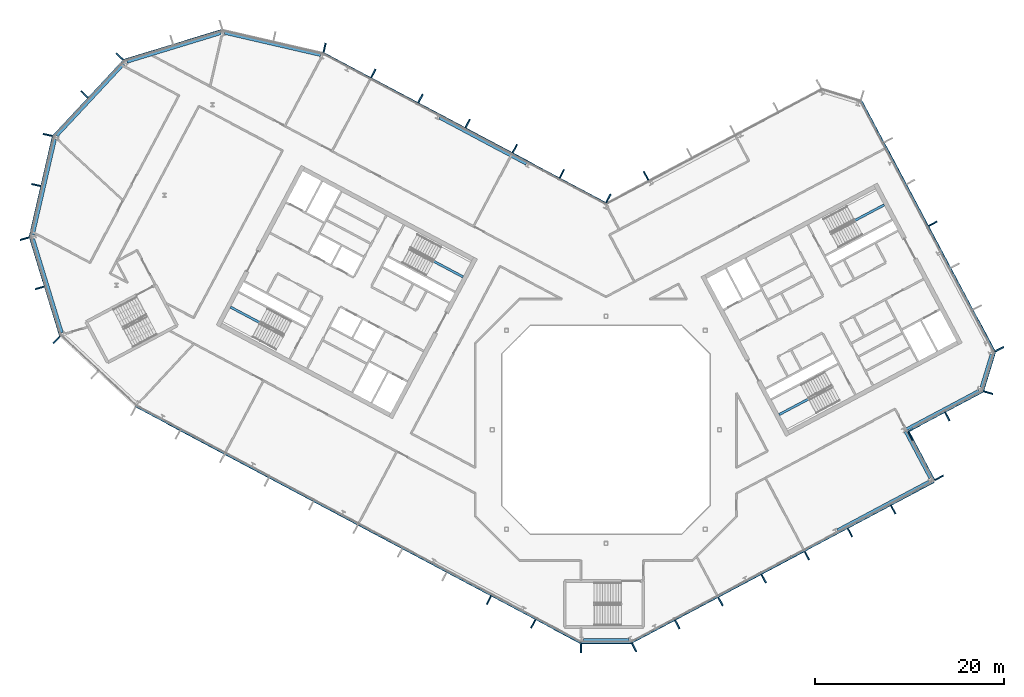
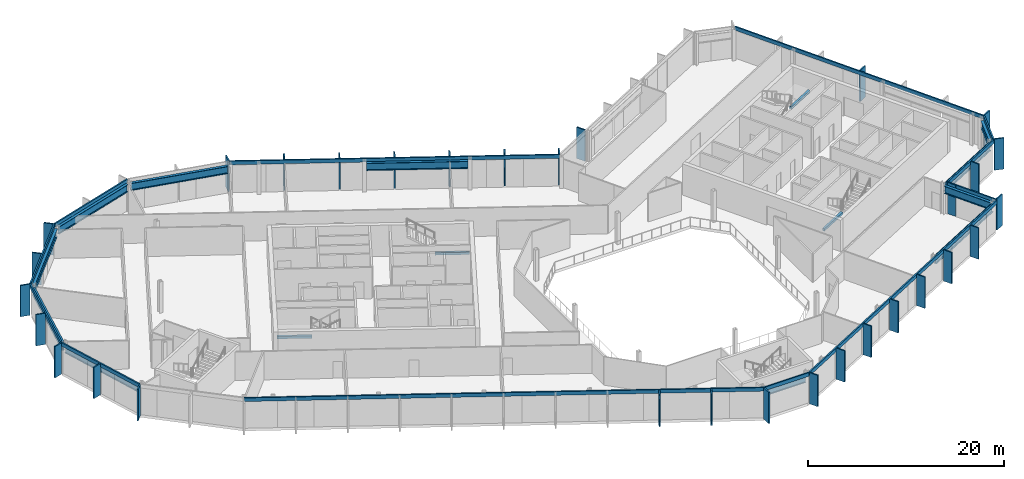
# One storey, part 9 of 26: 43 members, 15 beams, 15 elements without a shape of their own.
"""IFC4 building model written with IfcOpenShell, lengths in metres."""

from ifc_helpers import new_model, si_unit, direction, frame, origin, origin_2d, place, context, subcontext, project, spatial, rectangle, i_section, extrude, material, layer, layer_set, material_profile, profile_set, type_object, element, aggregate, save


model = new_model("IFC4")

# Units and contexts
model_context = context("Model", 3, precision=1e-05, world=origin(), true_north=direction((0.0, 1.0)))
body_context = subcontext(model_context, "Body", "Model", "MODEL_VIEW")
ifc_project = project(units=[si_unit("LENGTHUNIT", "METRE"), si_unit("AREAUNIT", "SQUARE_METRE"), si_unit("VOLUMEUNIT", "CUBIC_METRE"), si_unit("PLANEANGLEUNIT", "RADIAN"), si_unit("MASSUNIT", "GRAM", prefix="KILO")], contexts=[model_context])

# Site, building, storey
site_placement = place(None, origin())
site = spatial("IfcSite", under=ifc_project, at=site_placement, CompositionType="ELEMENT")
building_placement = place(site_placement, origin())
building = spatial("IfcBuilding", under=site, at=building_placement, Name="Cormorant Relay Tower", CompositionType="ELEMENT")
storey_placement = place(building_placement, frame((0.0, 0.0, 300.89990234375)))
storey = spatial("IfcBuildingStorey", under=building, at=storey_placement, Name="L68", CompositionType="ELEMENT", Elevation=300.89990234375)

# Curtain wall, member
ifc_material_1 = material(Name="Aluminium 6063-T6 anodised bronze", Category="aluminium")
ifc_layer = layer(ifc_material_1, 0.199951171875)
ifc_layer_set = layer_set([ifc_layer], Name="CW1 unitised bronze curtain wall with vertical fins")
curtain_wall_type = type_object("IfcCurtainWallType", Name="CW1 unitised bronze curtain wall with vertical fins", PredefinedType="NOTDEFINED", material=ifc_layer_set)
curtain_wall_1_placement = place(storey_placement, origin())
curtain_wall_1 = element("IfcCurtainWall", 1, at=curtain_wall_1_placement, inside=storey, type_object=curtain_wall_type, Name="CW1 curtain wall 1", PredefinedType="NOTDEFINED")
ifc_material_2 = material(Name="Aluminium 6063-T6 anodised bronze", Category="aluminium")
ifc_material_profile_1 = material_profile(ifc_material_2, rectangle(XDim=0.14990234375, YDim=1.0, at=origin_2d()), Name="AL 150x1000")
ifc_profile_set_1 = profile_set([ifc_material_profile_1], Name="Aluminium 6063-T6 anodised bronze")
member_type_1 = type_object("IfcMemberType", Name="CW1 bronze fin mullion 150 x 1000", PredefinedType="MULLION", material=ifc_profile_set_1)
member_1_placement = place(storey_placement, frame((-2.648681640625, -23.07568359375, 0.0), z_axis=(0.0, 0.0, 1.0), x_axis=(1.0, 0.0, 0.0)))
member_1 = element("IfcMember", 2, at=member_1_placement, type_object=member_type_1, Name="CW1 fin 1.1", PredefinedType="MULLION", context=body_context, shape_type="SweptSolid", body=[
    extrude(rectangle(XDim=0.14990234375, YDim=1.0, at=origin_2d()), origin(), (0.0, 0.0, 1.0), 3.900146484375),
])

# Curtain wall, members
curtain_wall_2_placement = place(storey_placement, origin())
curtain_wall_2 = element("IfcCurtainWall", 3, at=curtain_wall_2_placement, inside=storey, type_object=curtain_wall_type, Name="CW1 curtain wall 2", PredefinedType="NOTDEFINED")
member_2_placement = place(storey_placement, frame((2.9775390625, -22.99365234375, 0.0), z_axis=(0.0, 0.0, 1.0), x_axis=(0.882947592859, 0.469471562786, 0.0)))
member_2 = element("IfcMember", 4, at=member_2_placement, type_object=member_type_1, Name="CW1 fin 2.1", PredefinedType="MULLION", context=body_context, shape_type="SweptSolid", body=[
    extrude(rectangle(XDim=0.14990234375, YDim=1.0, at=origin_2d()), origin(), (0.0, 0.0, 1.0), 3.900146484375),
])
member_3_placement = place(storey_placement, frame((7.539306640625, -20.568115234375, 0.0), z_axis=(0.0, 0.0, 1.0), x_axis=(0.882947592859, 0.469471562786, 0.0)))
member_3 = element("IfcMember", 5, at=member_3_placement, type_object=member_type_1, Name="CW1 fin 2.2", PredefinedType="MULLION", context=body_context, shape_type="SweptSolid", body=[
    extrude(rectangle(XDim=0.14990234375, YDim=1.0, at=origin_2d()), origin(), (0.0, 0.0, 1.0), 3.900146484375),
])
member_4_placement = place(storey_placement, frame((12.10107421875, -18.142578125, 0.0), z_axis=(0.0, 0.0, 1.0), x_axis=(0.882947592859, 0.469471562786, 0.0)))
member_4 = element("IfcMember", 6, at=member_4_placement, type_object=member_type_1, Name="CW1 fin 2.3", PredefinedType="MULLION", context=body_context, shape_type="SweptSolid", body=[
    extrude(rectangle(XDim=0.14990234375, YDim=1.0, at=origin_2d()), origin(), (0.0, 0.0, 1.0), 3.900146484375),
])
member_5_placement = place(storey_placement, frame((16.662841796875, -15.717041015625, 0.0), z_axis=(0.0, 0.0, 1.0), x_axis=(0.882947592859, 0.469471562786, 0.0)))
member_5 = element("IfcMember", 7, at=member_5_placement, type_object=member_type_1, Name="CW1 fin 2.4", PredefinedType="MULLION", context=body_context, shape_type="SweptSolid", body=[
    extrude(rectangle(XDim=0.14990234375, YDim=1.0, at=origin_2d()), origin(), (0.0, 0.0, 1.0), 3.900146484375),
])
member_6_placement = place(storey_placement, frame((21.224609375, -13.29150390625, 0.0), z_axis=(0.0, 0.0, 1.0), x_axis=(0.882947592859, 0.469471562786, 0.0)))
member_6 = element("IfcMember", 8, at=member_6_placement, type_object=member_type_1, Name="CW1 fin 2.5", PredefinedType="MULLION", context=body_context, shape_type="SweptSolid", body=[
    extrude(rectangle(XDim=0.14990234375, YDim=1.0, at=origin_2d()), origin(), (0.0, 0.0, 1.0), 3.900146484375),
])
member_7_placement = place(storey_placement, frame((25.78662109375, -10.865966796875, 0.0), z_axis=(0.0, 0.0, 1.0), x_axis=(0.882947592859, 0.469471562786, 0.0)))
member_7 = element("IfcMember", 9, at=member_7_placement, type_object=member_type_1, Name="CW1 fin 2.6", PredefinedType="MULLION", context=body_context, shape_type="SweptSolid", body=[
    extrude(rectangle(XDim=0.14990234375, YDim=1.0, at=origin_2d()), origin(), (0.0, 0.0, 1.0), 3.900146484375),
])
member_8_placement = place(storey_placement, frame((30.348388671875, -8.440185546875, 0.0), z_axis=(0.0, 0.0, 1.0), x_axis=(0.882947592859, 0.469471562786, 0.0)))
member_8 = element("IfcMember", 10, at=member_8_placement, type_object=member_type_1, Name="CW1 fin 2.7", PredefinedType="MULLION", context=body_context, shape_type="SweptSolid", body=[
    extrude(rectangle(XDim=0.14990234375, YDim=1.0, at=origin_2d()), origin(), (0.0, 0.0, 1.0), 3.900146484375),
])

# Curtain wall, member
curtain_wall_3_placement = place(storey_placement, origin())
curtain_wall_3 = element("IfcCurtainWall", 11, at=curtain_wall_3_placement, inside=storey, type_object=curtain_wall_type, Name="CW1 curtain wall 3", PredefinedType="NOTDEFINED")
member_9_placement = place(storey_placement, frame((35.199462890625, -5.068115234375, 0.0), z_axis=(0.0, 0.0, 1.0), x_axis=(-0.469471562786, 0.882947592859, 0.0)))
member_9 = element("IfcMember", 12, at=member_9_placement, type_object=member_type_1, Name="CW1 fin 3.1", PredefinedType="MULLION", context=body_context, shape_type="SweptSolid", body=[
    extrude(rectangle(XDim=0.14990234375, YDim=1.0, at=origin_2d()), origin(), (0.0, 0.0, 1.0), 3.900146484375),
])

# Curtain wall, members
curtain_wall_4_placement = place(storey_placement, origin())
curtain_wall_4 = element("IfcCurtainWall", 13, at=curtain_wall_4_placement, inside=storey, type_object=curtain_wall_type, Name="CW1 curtain wall 4", PredefinedType="NOTDEFINED")
member_10_placement = place(storey_placement, frame((32.159423828125, -0.681884765625, 0.0), z_axis=(0.0, 0.0, 1.0), x_axis=(0.882947592859, 0.469471562786, 0.0)))
member_10 = element("IfcMember", 14, at=member_10_placement, type_object=member_type_1, Name="CW1 fin 4.1", PredefinedType="MULLION", context=body_context, shape_type="SweptSolid", body=[
    extrude(rectangle(XDim=0.14990234375, YDim=1.0, at=origin_2d()), origin(), (0.0, 0.0, 1.0), 3.900146484375),
])
member_11_placement = place(storey_placement, frame((36.06640625, 1.3955078125, 0.0), z_axis=(0.0, 0.0, 1.0), x_axis=(0.882947592859, 0.469471562786, 0.0)))
member_11 = element("IfcMember", 15, at=member_11_placement, type_object=member_type_1, Name="CW1 fin 4.2", PredefinedType="MULLION", context=body_context, shape_type="SweptSolid", body=[
    extrude(rectangle(XDim=0.14990234375, YDim=1.0, at=origin_2d()), origin(), (0.0, 0.0, 1.0), 3.900146484375),
])

# Curtain wall, member
curtain_wall_5_placement = place(storey_placement, origin())
curtain_wall_5 = element("IfcCurtainWall", 16, at=curtain_wall_5_placement, inside=storey, type_object=curtain_wall_type, Name="CW1 curtain wall 5", PredefinedType="NOTDEFINED")
member_12_placement = place(storey_placement, frame((40.380615234375, 3.921630859375, 0.0), z_axis=(0.0, 0.0, 1.0), x_axis=(0.292371704723, 0.956304755963, 0.0)))
member_12 = element("IfcMember", 17, at=member_12_placement, type_object=member_type_1, Name="CW1 fin 5.1", PredefinedType="MULLION", context=body_context, shape_type="SweptSolid", body=[
    extrude(rectangle(XDim=0.14990234375, YDim=1.0, at=origin_2d()), origin(), (0.0, 0.0, 1.0), 3.900146484375),
])

# Curtain wall, members
curtain_wall_6_placement = place(storey_placement, origin())
curtain_wall_6 = element("IfcCurtainWall", 18, at=curtain_wall_6_placement, inside=storey, type_object=curtain_wall_type, Name="CW1 curtain wall 6", PredefinedType="NOTDEFINED")
member_13_placement = place(storey_placement, frame((41.569580078125, 8.51220703125, 0.0), z_axis=(0.0, 0.0, 1.0), x_axis=(-0.469471562786, 0.882947592859, 0.0)))
member_13 = element("IfcMember", 19, at=member_13_placement, type_object=member_type_1, Name="CW1 fin 6.1", PredefinedType="MULLION", context=body_context, shape_type="SweptSolid", body=[
    extrude(rectangle(XDim=0.14990234375, YDim=1.0, at=origin_2d()), origin(), (0.0, 0.0, 1.0), 3.900146484375),
])
member_14_placement = place(storey_placement, frame((34.527587890625, 21.75634765625, 0.0), z_axis=(0.0, 0.0, 1.0), x_axis=(-0.469471562786, 0.882947592859, 0.0)))
member_14 = element("IfcMember", 20, at=member_14_placement, type_object=member_type_1, Name="CW1 fin 6.4", PredefinedType="MULLION", context=body_context, shape_type="SweptSolid", body=[
    extrude(rectangle(XDim=0.14990234375, YDim=1.0, at=origin_2d()), origin(), (0.0, 0.0, 1.0), 3.900146484375),
])

# Curtain wall, member
curtain_wall_7_placement = place(storey_placement, origin())
curtain_wall_7 = element("IfcCurtainWall", 21, at=curtain_wall_7_placement, inside=storey, type_object=curtain_wall_type, Name="CW1 curtain wall 8", PredefinedType="NOTDEFINED")
member_15_placement = place(storey_placement, frame((4.2333984375, 26.82763671875, 0.0), z_axis=(0.0, 0.0, 1.0), x_axis=(-0.882947592859, -0.469471562786, 0.0)))
member_15 = element("IfcMember", 22, at=member_15_placement, type_object=member_type_1, Name="CW1 fin 8.5", PredefinedType="MULLION", context=body_context, shape_type="SweptSolid", body=[
    extrude(rectangle(XDim=0.14990234375, YDim=1.0, at=origin_2d()), origin(), (0.0, 0.0, 1.0), 3.900146484375),
])
aggregate(curtain_wall_7, [member_15])

# Curtain wall, members
curtain_wall_8_placement = place(storey_placement, origin())
curtain_wall_8 = element("IfcCurtainWall", 23, at=curtain_wall_8_placement, inside=storey, type_object=curtain_wall_type, Name="CW1 curtain wall 9", PredefinedType="NOTDEFINED")
member_16_placement = place(storey_placement, frame((0.262451171875, 24.437255859375, 0.0), z_axis=(0.0, 0.0, 1.0), x_axis=(-0.882947592859, 0.469471562786, 0.0)))
member_16 = element("IfcMember", 24, at=member_16_placement, type_object=member_type_1, Name="CW1 fin 9.1", PredefinedType="MULLION", context=body_context, shape_type="SweptSolid", body=[
    extrude(rectangle(XDim=0.14990234375, YDim=1.0, at=origin_2d()), origin(), (0.0, 0.0, 1.0), 3.900146484375),
])
member_17_placement = place(storey_placement, frame((-4.650390625, 27.04931640625, 0.0), z_axis=(0.0, 0.0, 1.0), x_axis=(-0.882947592859, 0.469471562786, 0.0)))
member_17 = element("IfcMember", 25, at=member_17_placement, type_object=member_type_1, Name="CW1 fin 9.2", PredefinedType="MULLION", context=body_context, shape_type="SweptSolid", body=[
    extrude(rectangle(XDim=0.14990234375, YDim=1.0, at=origin_2d()), origin(), (0.0, 0.0, 1.0), 3.900146484375),
])
member_18_placement = place(storey_placement, frame((-9.62939453125, 29.69677734375, 0.0), z_axis=(0.0, 0.0, 1.0), x_axis=(-0.882947592859, 0.469471562786, 0.0)))
member_18 = element("IfcMember", 26, at=member_18_placement, type_object=member_type_1, Name="CW1 fin 9.3", PredefinedType="MULLION", context=body_context, shape_type="SweptSolid", body=[
    extrude(rectangle(XDim=0.14990234375, YDim=1.0, at=origin_2d()), origin(), (0.0, 0.0, 1.0), 3.900146484375),
])
member_19_placement = place(storey_placement, frame((-14.608154296875, 32.343994140625, 0.0), z_axis=(0.0, 0.0, 1.0), x_axis=(-0.882947592859, 0.469471562786, 0.0)))
member_19 = element("IfcMember", 27, at=member_19_placement, type_object=member_type_1, Name="CW1 fin 9.4", PredefinedType="MULLION", context=body_context, shape_type="SweptSolid", body=[
    extrude(rectangle(XDim=0.14990234375, YDim=1.0, at=origin_2d()), origin(), (0.0, 0.0, 1.0), 3.900146484375),
])
member_20_placement = place(storey_placement, frame((-19.587158203125, 34.991455078125, 0.0), z_axis=(0.0, 0.0, 1.0), x_axis=(-0.882947592859, 0.469471562786, 0.0)))
member_20 = element("IfcMember", 28, at=member_20_placement, type_object=member_type_1, Name="CW1 fin 9.5", PredefinedType="MULLION", context=body_context, shape_type="SweptSolid", body=[
    extrude(rectangle(XDim=0.14990234375, YDim=1.0, at=origin_2d()), origin(), (0.0, 0.0, 1.0), 3.900146484375),
])
member_21_placement = place(storey_placement, frame((-24.566162109375, 37.638916015625, 0.0), z_axis=(0.0, 0.0, 1.0), x_axis=(-0.882947592859, 0.469471562786, 0.0)))
member_21 = element("IfcMember", 29, at=member_21_placement, type_object=member_type_1, Name="CW1 fin 9.6", PredefinedType="MULLION", context=body_context, shape_type="SweptSolid", body=[
    extrude(rectangle(XDim=0.14990234375, YDim=1.0, at=origin_2d()), origin(), (0.0, 0.0, 1.0), 3.900146484375),
])

# Curtain wall, member
curtain_wall_9_placement = place(storey_placement, origin())
curtain_wall_9 = element("IfcCurtainWall", 30, at=curtain_wall_9_placement, inside=storey, type_object=curtain_wall_type, Name="CW1 curtain wall 10", PredefinedType="NOTDEFINED")
member_22_placement = place(storey_placement, frame((-29.71630859375, 40.35009765625, 0.0), z_axis=(0.0, 0.0, 1.0), x_axis=(-0.974370064785, 0.224951054344, 0.0)))
member_22 = element("IfcMember", 31, at=member_22_placement, type_object=member_type_1, Name="CW1 fin 10.1", PredefinedType="MULLION", context=body_context, shape_type="SweptSolid", body=[
    extrude(rectangle(XDim=0.14990234375, YDim=1.0, at=origin_2d()), origin(), (0.0, 0.0, 1.0), 3.900146484375),
])
aggregate(curtain_wall_9, [member_22])

# Curtain wall, members
curtain_wall_10_placement = place(storey_placement, origin())
curtain_wall_10 = element("IfcCurtainWall", 32, at=curtain_wall_10_placement, inside=storey, type_object=curtain_wall_type, Name="CW1 curtain wall 12", PredefinedType="NOTDEFINED")
member_23_placement = place(storey_placement, frame((-51.372802734375, 39.41259765625, 0.0), z_axis=(0.0, 0.0, 1.0), x_axis=(-0.681998360062, -0.731353701619, 0.0)))
member_23 = element("IfcMember", 33, at=member_23_placement, type_object=member_type_1, Name="CW1 fin 12.1", PredefinedType="MULLION", context=body_context, shape_type="SweptSolid", body=[
    extrude(rectangle(XDim=0.14990234375, YDim=1.0, at=origin_2d()), origin(), (0.0, 0.0, 1.0), 3.900146484375),
])
member_24_placement = place(storey_placement, frame((-55.07958984375, 35.4375, 0.0), z_axis=(0.0, 0.0, 1.0), x_axis=(-0.681998360062, -0.731353701619, 0.0)))
member_24 = element("IfcMember", 34, at=member_24_placement, type_object=member_type_1, Name="CW1 fin 12.2", PredefinedType="MULLION", context=body_context, shape_type="SweptSolid", body=[
    extrude(rectangle(XDim=0.14990234375, YDim=1.0, at=origin_2d()), origin(), (0.0, 0.0, 1.0), 3.900146484375),
])

curtain_wall_11_placement = place(storey_placement, origin())
curtain_wall_11 = element("IfcCurtainWall", 35, at=curtain_wall_11_placement, inside=storey, type_object=curtain_wall_type, Name="CW1 curtain wall 13", PredefinedType="NOTDEFINED")
member_25_placement = place(storey_placement, frame((-58.95654296875, 31.142578125, 0.0), z_axis=(0.0, 0.0, 1.0), x_axis=(-0.224951054344, -0.974370064785, 0.0)))
member_25 = element("IfcMember", 36, at=member_25_placement, type_object=member_type_1, Name="CW1 fin 13.1", PredefinedType="MULLION", context=body_context, shape_type="SweptSolid", body=[
    extrude(rectangle(XDim=0.14990234375, YDim=1.0, at=origin_2d()), origin(), (0.0, 0.0, 1.0), 3.900146484375),
])
member_26_placement = place(storey_placement, frame((-60.17919921875, 25.8466796875, 0.0), z_axis=(0.0, 0.0, 1.0), x_axis=(-0.224951054344, -0.974370064785, 0.0)))
member_26 = element("IfcMember", 37, at=member_26_placement, type_object=member_type_1, Name="CW1 fin 13.2", PredefinedType="MULLION", context=body_context, shape_type="SweptSolid", body=[
    extrude(rectangle(XDim=0.14990234375, YDim=1.0, at=origin_2d()), origin(), (0.0, 0.0, 1.0), 3.900146484375),
])

curtain_wall_12_placement = place(storey_placement, origin())
curtain_wall_12 = element("IfcCurtainWall", 38, at=curtain_wall_12_placement, inside=storey, type_object=curtain_wall_type, Name="CW1 curtain wall 14", PredefinedType="NOTDEFINED")
member_27_placement = place(storey_placement, frame((-61.389404296875, 20.188720703125, 0.0), z_axis=(0.0, 0.0, 1.0), x_axis=(0.292371704723, -0.956304755963, 0.0)))
member_27 = element("IfcMember", 39, at=member_27_placement, type_object=member_type_1, Name="CW1 fin 14.1", PredefinedType="MULLION", context=body_context, shape_type="SweptSolid", body=[
    extrude(rectangle(XDim=0.14990234375, YDim=1.0, at=origin_2d()), origin(), (0.0, 0.0, 1.0), 3.900146484375),
])
member_28_placement = place(storey_placement, frame((-59.80029296875, 14.990966796875, 0.0), z_axis=(0.0, 0.0, 1.0), x_axis=(0.292371704723, -0.956304755963, 0.0)))
member_28 = element("IfcMember", 40, at=member_28_placement, type_object=member_type_1, Name="CW1 fin 14.2", PredefinedType="MULLION", context=body_context, shape_type="SweptSolid", body=[
    extrude(rectangle(XDim=0.14990234375, YDim=1.0, at=origin_2d()), origin(), (0.0, 0.0, 1.0), 3.900146484375),
])

# Curtain wall, member
curtain_wall_13_placement = place(storey_placement, origin())
curtain_wall_13 = element("IfcCurtainWall", 41, at=curtain_wall_13_placement, inside=storey, type_object=curtain_wall_type, Name="CW1 curtain wall 15", PredefinedType="NOTDEFINED")
member_29_placement = place(storey_placement, frame((-58.01904296875, 9.486083984375, 0.0), z_axis=(0.0, 0.0, 1.0), x_axis=(0.731353701619, -0.681998360062, 0.0)))
member_29 = element("IfcMember", 42, at=member_29_placement, type_object=member_type_1, Name="CW1 fin 15.1", PredefinedType="MULLION", context=body_context, shape_type="SweptSolid", body=[
    extrude(rectangle(XDim=0.14990234375, YDim=1.0, at=origin_2d()), origin(), (0.0, 0.0, 1.0), 3.900146484375),
])
aggregate(curtain_wall_13, [member_29])

# Curtain wall, members
curtain_wall_14_placement = place(storey_placement, origin())
curtain_wall_14 = element("IfcCurtainWall", 43, at=curtain_wall_14_placement, inside=storey, type_object=curtain_wall_type, Name="CW1 curtain wall 16", PredefinedType="NOTDEFINED")
member_30_placement = place(storey_placement, frame((-12.365966796875, -18.001708984375, 0.0), z_axis=(0.0, 0.0, 1.0), x_axis=(0.882947592859, -0.469471562786, 0.0)))
member_30 = element("IfcMember", 44, at=member_30_placement, type_object=member_type_1, Name="CW1 fin 16.9", PredefinedType="MULLION", context=body_context, shape_type="SweptSolid", body=[
    extrude(rectangle(XDim=0.14990234375, YDim=1.0, at=origin_2d()), origin(), (0.0, 0.0, 1.0), 3.900146484375),
])
member_31_placement = place(storey_placement, frame((-7.671630859375, -20.49755859375, 0.0), z_axis=(0.0, 0.0, 1.0), x_axis=(0.882947592859, -0.469471562786, 0.0)))
member_31 = element("IfcMember", 45, at=member_31_placement, type_object=member_type_1, Name="CW1 fin 16.10", PredefinedType="MULLION", context=body_context, shape_type="SweptSolid", body=[
    extrude(rectangle(XDim=0.14990234375, YDim=1.0, at=origin_2d()), origin(), (0.0, 0.0, 1.0), 3.900146484375),
])

# Member
ifc_material_3 = material(Name="Aluminium 6063-T6 anodised bronze", Category="aluminium")
ifc_material_profile_2 = material_profile(ifc_material_3, rectangle(XDim=0.159912109375, YDim=0.449951171875, at=origin_2d()), Name="AL 160x450")
ifc_profile_set_2 = profile_set([ifc_material_profile_2], Name="Aluminium 6063-T6 anodised bronze")
member_type_2 = type_object("IfcMemberType", Name="CW1 bronze transom 160 x 450", PredefinedType="USERDEFINED", material=ifc_profile_set_2)
member_32_placement = place(storey_placement, frame((-2.648681640625, -22.49560546875, 3.675048828125), z_axis=(1.0, 0.0, 0.0), x_axis=(0.0, 1.0, 0.0)))
member_32 = element("IfcMember", 46, at=member_32_placement, type_object=member_type_2, Name="CW1 transom 1", ObjectType="TRANSOM", PredefinedType="USERDEFINED", context=body_context, shape_type="SweptSolid", body=[
    extrude(rectangle(XDim=0.159912109375, YDim=0.449951171875, at=origin_2d()), origin(), (0.0, 0.0, 1.0), 5.29736328125),
])

aggregate(curtain_wall_1, [member_1, member_32])

member_33_placement = place(storey_placement, frame((2.705078125, -22.4814453125, 3.675048828125), z_axis=(0.882948899141, 0.469469106018, 0.0), x_axis=(-0.469469106018, 0.882948899141, 0.0)))
member_33 = element("IfcMember", 47, at=member_33_placement, type_object=member_type_2, Name="CW1 transom 2", ObjectType="TRANSOM", PredefinedType="USERDEFINED", context=body_context, shape_type="SweptSolid", body=[
    extrude(rectangle(XDim=0.159912109375, YDim=0.449951171875, at=origin_2d()), origin(), (0.0, 0.0, 1.0), 36.165771484375),
])

aggregate(curtain_wall_2, [member_2, member_3, member_4, member_5, member_6, member_7, member_8, member_33])

member_34_placement = place(storey_placement, frame((34.6875, -5.34033203125, 3.675048828125), z_axis=(-0.469485426614, 0.882940221191, 0.0), x_axis=(-0.882940221191, -0.469485426614, 0.0)))
member_34 = element("IfcMember", 48, at=member_34_placement, type_object=member_type_2, Name="CW1 transom 3", ObjectType="TRANSOM", PredefinedType="USERDEFINED", context=body_context, shape_type="SweptSolid", body=[
    extrude(rectangle(XDim=0.159912109375, YDim=0.449951171875, at=origin_2d()), origin(), (0.0, 0.0, 1.0), 6.0),
])

aggregate(curtain_wall_3, [member_9, member_34])

member_35_placement = place(storey_placement, frame((31.82080078125, -0.205078125, 3.675048828125), z_axis=(0.882949189538, 0.469468559857, 0.0), x_axis=(-0.469468559857, 0.882949189538, 0.0)))
member_35 = element("IfcMember", 49, at=member_35_placement, type_object=member_type_2, Name="CW1 transom 4", ObjectType="TRANSOM", PredefinedType="USERDEFINED", context=body_context, shape_type="SweptSolid", body=[
    extrude(rectangle(XDim=0.159912109375, YDim=0.449951171875, at=origin_2d()), origin(), (0.0, 0.0, 1.0), 9.000244140625),
])

aggregate(curtain_wall_4, [member_10, member_11, member_35])

member_36_placement = place(storey_placement, frame((39.825927734375, 4.091064453125, 3.675048828125), z_axis=(0.292374957137, 0.956303761594, 0.0), x_axis=(-0.956303761594, 0.292374957137, 0.0)))
member_36 = element("IfcMember", 50, at=member_36_placement, type_object=member_type_2, Name="CW1 transom 5", ObjectType="TRANSOM", PredefinedType="USERDEFINED", context=body_context, shape_type="SweptSolid", body=[
    extrude(rectangle(XDim=0.159912109375, YDim=0.449951171875, at=origin_2d()), origin(), (0.0, 0.0, 1.0), 4.24267578125),
])

aggregate(curtain_wall_5, [member_12, member_36])

member_37_placement = place(storey_placement, frame((41.0576171875, 8.23974609375, 3.675048828125), z_axis=(-0.469472335483, 0.882947182008, 0.0), x_axis=(-0.882947182008, -0.469472335483, 0.0)))
member_37 = element("IfcMember", 51, at=member_37_placement, type_object=member_type_2, Name="CW1 transom 6", ObjectType="TRANSOM", PredefinedType="USERDEFINED", context=body_context, shape_type="SweptSolid", body=[
    extrude(rectangle(XDim=0.159912109375, YDim=0.449951171875, at=origin_2d()), origin(), (0.0, 0.0, 1.0), 30.000244140625),
])

aggregate(curtain_wall_6, [member_13, member_14, member_37])

member_38_placement = place(storey_placement, frame((0.056396484375, 23.889892578125, 3.675048828125), z_axis=(-0.882946280328, 0.46947403129, 0.0), x_axis=(-0.46947403129, -0.882946280328, 0.0)))
member_38 = element("IfcMember", 52, at=member_38_placement, type_object=member_type_2, Name="CW1 transom 9", ObjectType="TRANSOM", PredefinedType="USERDEFINED", context=body_context, shape_type="SweptSolid", body=[
    extrude(rectangle(XDim=0.159912109375, YDim=0.449951171875, at=origin_2d()), origin(), (0.0, 0.0, 1.0), 33.834228515625),
])

aggregate(curtain_wall_8, [member_16, member_17, member_18, member_19, member_20, member_21, member_38])

# Curtain wall, member
curtain_wall_15_placement = place(storey_placement, origin())
curtain_wall_15 = element("IfcCurtainWall", 53, at=curtain_wall_15_placement, inside=storey, type_object=curtain_wall_type, Name="CW1 curtain wall 11", PredefinedType="NOTDEFINED")
member_39_placement = place(storey_placement, frame((-40.50048828125, 42.228271484375, 3.675048828125), z_axis=(-0.956304833932, -0.292371449698, 0.0), x_axis=(0.292371449698, -0.956304833932, 0.0)))
member_39 = element("IfcMember", 54, at=member_39_placement, type_object=member_type_2, Name="CW1 transom 11", ObjectType="TRANSOM", PredefinedType="USERDEFINED", context=body_context, shape_type="SweptSolid", body=[
    extrude(rectangle(XDim=0.159912109375, YDim=0.449951171875, at=origin_2d()), origin(), (0.0, 0.0, 1.0), 10.87060546875),
])
aggregate(curtain_wall_15, [member_39])

# Member
member_40_placement = place(storey_placement, frame((-50.94873046875, 39.01708984375, 3.675048828125), z_axis=(-0.681993299437, -0.731358420696, 0.0), x_axis=(0.731358420696, -0.681993299437, 0.0)))
member_40 = element("IfcMember", 55, at=member_40_placement, type_object=member_type_2, Name="CW1 transom 12", ObjectType="TRANSOM", PredefinedType="USERDEFINED", context=body_context, shape_type="SweptSolid", body=[
    extrude(rectangle(XDim=0.159912109375, YDim=0.449951171875, at=origin_2d()), origin(), (0.0, 0.0, 1.0), 10.870361328125),
])

aggregate(curtain_wall_10, [member_23, member_24, member_40])

member_41_placement = place(storey_placement, frame((-58.3916015625, 31.01220703125, 3.675048828125), z_axis=(-0.22495136131, -0.974369993916, 0.0), x_axis=(0.974369993916, -0.22495136131, 0.0)))
member_41 = element("IfcMember", 56, at=member_41_placement, type_object=member_type_2, Name="CW1 transom 13", ObjectType="TRANSOM", PredefinedType="USERDEFINED", context=body_context, shape_type="SweptSolid", body=[
    extrude(rectangle(XDim=0.159912109375, YDim=0.449951171875, at=origin_2d()), origin(), (0.0, 0.0, 1.0), 10.870361328125),
])

aggregate(curtain_wall_11, [member_25, member_26, member_41])

member_42_placement = place(storey_placement, frame((-60.834716796875, 20.358154296875, 3.675048828125), z_axis=(0.292377729282, -0.95630291405, 0.0), x_axis=(0.95630291405, 0.292377729282, 0.0)))
member_42 = element("IfcMember", 57, at=member_42_placement, type_object=member_type_2, Name="CW1 transom 14", ObjectType="TRANSOM", PredefinedType="USERDEFINED", context=body_context, shape_type="SweptSolid", body=[
    extrude(rectangle(XDim=0.159912109375, YDim=0.449951171875, at=origin_2d()), origin(), (0.0, 0.0, 1.0), 10.870361328125),
])

aggregate(curtain_wall_12, [member_27, member_28, member_42])

member_43_placement = place(storey_placement, frame((-49.64794921875, 2.478515625, 3.675048828125), z_axis=(0.882947642542, -0.469471469346, 0.0), x_axis=(0.469471469346, 0.882947642542, 0.0)))
member_43 = element("IfcMember", 58, at=member_43_placement, type_object=member_type_2, Name="CW1 transom 16", ObjectType="TRANSOM", PredefinedType="USERDEFINED", context=body_context, shape_type="SweptSolid", body=[
    extrude(rectangle(XDim=0.159912109375, YDim=0.449951171875, at=origin_2d()), origin(), (0.0, 0.0, 1.0), 53.166015625),
])

aggregate(curtain_wall_14, [member_30, member_31, member_43])

# Beams
ifc_material_4 = material(Name="Steel ASTM A992 (Fy 345 MPa)", Category="steel")
ifc_material_profile_3 = material_profile(ifc_material_4, i_section(OverallWidth=0.307373046875, OverallDepth=0.927001953125, WebThickness=0.019287109375, FlangeThickness=0.031982421875, FilletRadius=0.01904296875, at=origin_2d()), Name="W920x289")
ifc_profile_set_3 = profile_set([ifc_material_profile_3], Name="Steel ASTM A992 (Fy 345 MPa)")
beam_type_1 = type_object("IfcBeamType", Name="Spandrel W920x289", PredefinedType="SPANDREL", material=ifc_profile_set_3)
beam_1_placement = place(storey_placement, frame((-2.377197265625, -22.221923828125, 3.076416015625), z_axis=(1.0, 0.0, 0.0), x_axis=(0.0, 1.0, 0.0)))
element("IfcBeam", 59, at=beam_1_placement, inside=storey, type_object=beam_type_1, Name="Spandrel beam L68-001", PredefinedType="SPANDREL", context=body_context, shape_type="SweptSolid", body=[
    extrude(i_section(OverallWidth=0.307373046875, OverallDepth=0.927001953125, WebThickness=0.019287109375, FlangeThickness=0.031982421875, FilletRadius=0.01904296875, at=origin_2d()), origin(), (0.0, 0.0, 1.0), 4.79541015625),
])
beam_2_placement = place(storey_placement, frame((24.44287109375, -10.61328125, 3.076416015625), z_axis=(0.882957797597, 0.469452369961, 0.0), x_axis=(-0.469452369961, 0.882957797597, 0.0)))
element("IfcBeam", 60, at=beam_2_placement, inside=storey, type_object=beam_type_1, Name="Spandrel beam L68-002", PredefinedType="SPANDREL", context=body_context, shape_type="SweptSolid", body=[
    extrude(i_section(OverallWidth=0.307373046875, OverallDepth=0.927001953125, WebThickness=0.019287109375, FlangeThickness=0.031982421875, FilletRadius=0.01904296875, at=origin_2d()), origin(), (0.0, 0.0, 1.0), 10.992431640625),
])
beam_3_placement = place(storey_placement, frame((34.254638671875, -5.109619140625, 3.076416015625), z_axis=(-0.469457325339, 0.882955162897, 0.0), x_axis=(-0.882955162897, -0.469457325339, 0.0)))
element("IfcBeam", 61, at=beam_3_placement, inside=storey, type_object=beam_type_1, Name="Spandrel beam L68-003", PredefinedType="SPANDREL", context=body_context, shape_type="SweptSolid", body=[
    extrude(i_section(OverallWidth=0.307373046875, OverallDepth=0.927001953125, WebThickness=0.019287109375, FlangeThickness=0.031982421875, FilletRadius=0.01904296875, at=origin_2d()), origin(), (0.0, 0.0, 1.0), 5.593017578125),
])
beam_4_placement = place(storey_placement, frame((31.6923828125, 0.03662109375, 3.076416015625), z_axis=(0.882943393008, 0.469479461472, 0.0), x_axis=(-0.469479461472, 0.882943393008, 0.0)))
element("IfcBeam", 62, at=beam_4_placement, inside=storey, type_object=beam_type_1, Name="Spandrel beam L68-004", PredefinedType="SPANDREL", context=body_context, shape_type="SweptSolid", body=[
    extrude(i_section(OverallWidth=0.307373046875, OverallDepth=0.927001953125, WebThickness=0.019287109375, FlangeThickness=0.031982421875, FilletRadius=0.01904296875, at=origin_2d()), origin(), (0.0, 0.0, 1.0), 8.734375),
])
beam_5_placement = place(storey_placement, frame((39.6591796875, 4.4814453125, 3.076416015625), z_axis=(0.292323829151, 0.956319391684, 0.0), x_axis=(-0.956319391684, 0.292323829151, 0.0)))
element("IfcBeam", 63, at=beam_5_placement, inside=storey, type_object=beam_type_1, Name="Spandrel beam L68-005", PredefinedType="SPANDREL", context=body_context, shape_type="SweptSolid", body=[
    extrude(i_section(OverallWidth=0.307373046875, OverallDepth=0.927001953125, WebThickness=0.019287109375, FlangeThickness=0.031982421875, FilletRadius=0.01904296875, at=origin_2d()), origin(), (0.0, 0.0, 1.0), 3.652099609375),
])
beam_6_placement = place(storey_placement, frame((-8.401611328125, 28.0771484375, 3.076416015625), z_axis=(-0.882945471565, 0.469475552338, 0.0), x_axis=(-0.469475552338, -0.882945471565, 0.0)))
element("IfcBeam", 64, at=beam_6_placement, inside=storey, type_object=beam_type_1, Name="Spandrel beam L68-009", PredefinedType="SPANDREL", context=body_context, shape_type="SweptSolid", body=[
    extrude(i_section(OverallWidth=0.307373046875, OverallDepth=0.927001953125, WebThickness=0.019287109375, FlangeThickness=0.031982421875, FilletRadius=0.01904296875, at=origin_2d()), origin(), (0.0, 0.0, 1.0), 10.401123046875),
])
beam_7_placement = place(storey_placement, frame((-30.138427734375, 39.571533203125, 3.076416015625), z_axis=(-0.97437021882, 0.224950387145, 0.0), x_axis=(-0.224950387145, -0.97437021882, 0.0)))
element("IfcBeam", 65, at=beam_7_placement, inside=storey, type_object=beam_type_1, Name="Spandrel beam L68-010", PredefinedType="SPANDREL", context=body_context, shape_type="SweptSolid", body=[
    extrude(i_section(OverallWidth=0.307373046875, OverallDepth=0.927001953125, WebThickness=0.019287109375, FlangeThickness=0.031982421875, FilletRadius=0.01904296875, at=origin_2d()), origin(), (0.0, 0.0, 1.0), 10.3984375),
])
beam_8_placement = place(storey_placement, frame((-40.68505859375, 41.8857421875, 3.076416015625), z_axis=(-0.956304903575, -0.292371221906, 0.0), x_axis=(0.292371221906, -0.956304903575, 0.0)))
element("IfcBeam", 66, at=beam_8_placement, inside=storey, type_object=beam_type_1, Name="Spandrel beam L68-011", PredefinedType="SPANDREL", context=body_context, shape_type="SweptSolid", body=[
    extrude(i_section(OverallWidth=0.307373046875, OverallDepth=0.927001953125, WebThickness=0.019287109375, FlangeThickness=0.031982421875, FilletRadius=0.01904296875, at=origin_2d()), origin(), (0.0, 0.0, 1.0), 10.358642578125),
])
beam_9_placement = place(storey_placement, frame((-50.9375, 38.627685546875, 3.076416015625), z_axis=(-0.682009982741, -0.731342863124, 0.0), x_axis=(0.731342863124, -0.682009982741, 0.0)))
element("IfcBeam", 67, at=beam_9_placement, inside=storey, type_object=beam_type_1, Name="Spandrel beam L68-012", PredefinedType="SPANDREL", context=body_context, shape_type="SweptSolid", body=[
    extrude(i_section(OverallWidth=0.307373046875, OverallDepth=0.927001953125, WebThickness=0.019287109375, FlangeThickness=0.031982421875, FilletRadius=0.01904296875, at=origin_2d()), origin(), (0.0, 0.0, 1.0), 10.35791015625),
])
beam_10_placement = place(storey_placement, frame((-58.18701171875, 30.680908203125, 3.076416015625), z_axis=(-0.224955895786, -0.974368947038, 0.0), x_axis=(0.974368947038, -0.224955895786, 0.0)))
element("IfcBeam", 68, at=beam_10_placement, inside=storey, type_object=beam_type_1, Name="Spandrel beam L68-013", PredefinedType="SPANDREL", context=body_context, shape_type="SweptSolid", body=[
    extrude(i_section(OverallWidth=0.307373046875, OverallDepth=0.927001953125, WebThickness=0.019287109375, FlangeThickness=0.031982421875, FilletRadius=0.01904296875, at=origin_2d()), origin(), (0.0, 0.0, 1.0), 10.359130859375),
])
beam_11_placement = place(storey_placement, frame((-60.49169921875, 20.1728515625, 3.076416015625), z_axis=(0.292367651593, -0.95630599512, 0.0), x_axis=(0.95630599512, 0.292367651593, 0.0)))
element("IfcBeam", 69, at=beam_11_placement, inside=storey, type_object=beam_type_1, Name="Spandrel beam L68-014", PredefinedType="SPANDREL", context=body_context, shape_type="SweptSolid", body=[
    extrude(i_section(OverallWidth=0.307373046875, OverallDepth=0.927001953125, WebThickness=0.019287109375, FlangeThickness=0.031982421875, FilletRadius=0.01904296875, at=origin_2d()), origin(), (0.0, 0.0, 1.0), 10.357177734375),
])
ifc_material_5 = material(Name="Concrete 50 MPa", Category="concrete")
ifc_material_profile_4 = material_profile(ifc_material_5, rectangle(XDim=0.25, YDim=0.300048828125, at=origin_2d()), Name="RC 250x300")
ifc_profile_set_4 = profile_set([ifc_material_profile_4], Name="Concrete 50 MPa")
beam_type_2 = type_object("IfcBeamType", Name="Stair landing ledge beam 250x300", PredefinedType="BEAM", material=ifc_profile_set_4)
beam_12_placement = place(storey_placement, frame((-18.219482421875, 17.813720703125, 1.60009765625), z_axis=(0.882950035608, -0.469466968614, 0.0), x_axis=(0.469466968614, 0.882950035608, 0.0)))
element("IfcBeam", 70, at=beam_12_placement, inside=storey, type_object=beam_type_2, Name="A1 landing ledge beam", PredefinedType="BEAM", context=body_context, shape_type="SweptSolid", body=[
    extrude(rectangle(XDim=0.25, YDim=0.300048828125, at=origin_2d()), origin(), (0.0, 0.0, 1.0), 3.5498046875),
])
for number, where, z_axis, x_axis, name in (
    (71, (-36.523193359375, 11.29345703125, 1.60009765625), (-0.88293668587, 0.469492075273, 0.0), (-0.469492075273, -0.88293668587, 0.0), "A2 landing ledge beam"),
    (72, (21.4248046875, 3.265380859375, 1.60009765625), (-0.88296519247, -0.469438461235, 0.0), (0.469438461235, -0.88296519247, 0.0), "B1 landing ledge beam"),
    (73, (26.25439453125, 22.0859375, 1.60009765625), (0.88296519247, 0.469438461235, 0.0), (-0.469438461235, 0.88296519247, 0.0), "B2 landing ledge beam"),
):
    element("IfcBeam", number, at=place(storey_placement, frame(where, z_axis=z_axis, x_axis=x_axis)), inside=storey, type_object=beam_type_2, Name=name, PredefinedType="BEAM", context=body_context, shape_type="SweptSolid", body=[
        extrude(rectangle(XDim=0.25, YDim=0.300048828125, at=origin_2d()), origin(), (0.0, 0.0, 1.0), 3.550048828125),
    ])

save(model, "model.ifc")
